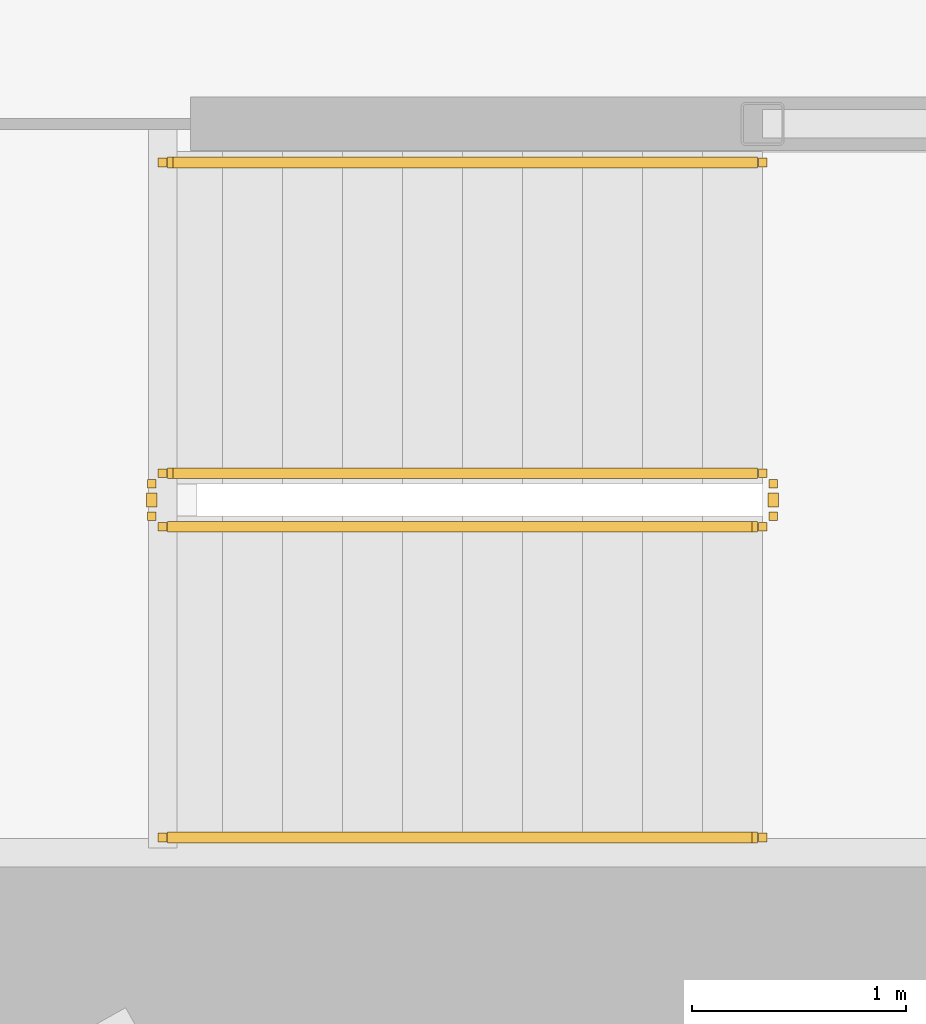
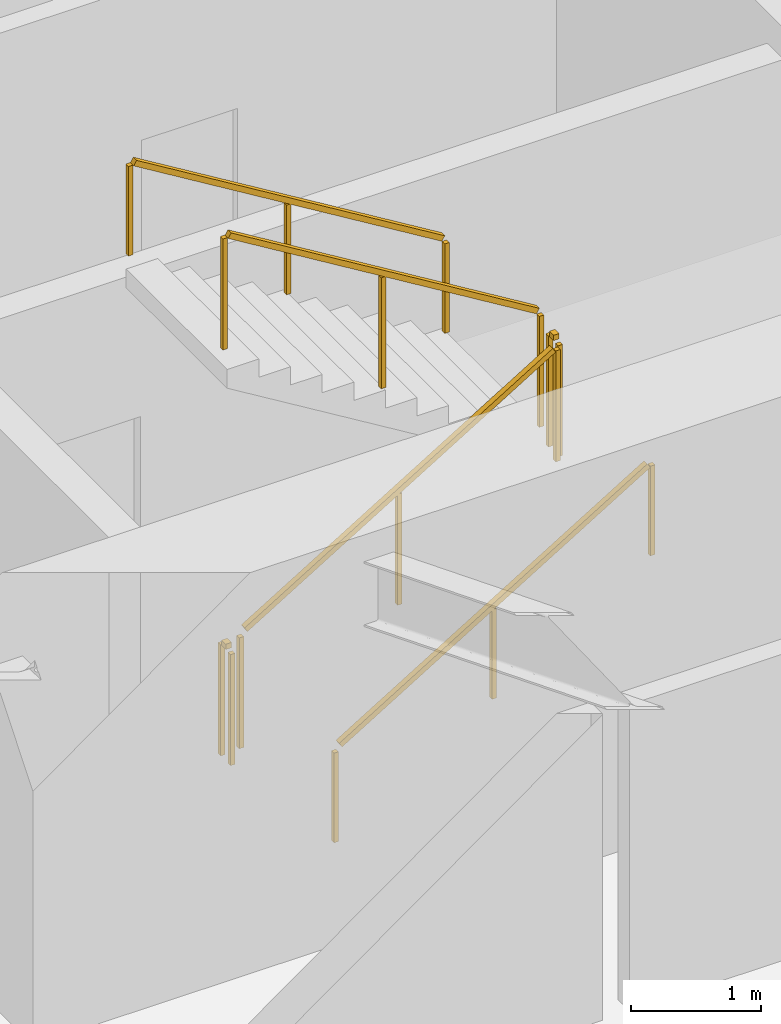
# One storey, part 28 of 31: 6 railings.
"""IFC4 building model written with IfcOpenShell, lengths in metres."""

from ifc_helpers import new_model, si_unit, direction, frame, origin, origin_2d, place, context, subcontext, project, spatial, rectangle, extrude, material, type_object, element, save


model = new_model("IFC4")

# Units and contexts
model_context = context("Model", 3, precision=1e-05, world=origin(), true_north=direction((0.0, 1.0)))
body_context = subcontext(model_context, "Body", "Model", "MODEL_VIEW")
ifc_project = project(units=[si_unit("LENGTHUNIT", "METRE"), si_unit("AREAUNIT", "SQUARE_METRE"), si_unit("VOLUMEUNIT", "CUBIC_METRE"), si_unit("PLANEANGLEUNIT", "RADIAN"), si_unit("MASSUNIT", "GRAM", prefix="KILO")], contexts=[model_context])

# Site, building, storey
site_placement = place(None, origin())
site = spatial("IfcSite", under=ifc_project, at=site_placement, CompositionType="ELEMENT")
building_placement = place(site_placement, origin())
building = spatial("IfcBuilding", under=site, at=building_placement, Name="Kazma Halo Residences", CompositionType="ELEMENT")
storey_placement = place(building_placement, frame((0.0, 0.0, 37.64990234375)))
storey = spatial("IfcBuildingStorey", under=building, at=storey_placement, Name="L08", CompositionType="ELEMENT", Elevation=37.64990234375)

# Railings
ifc_material_1 = material(Name="Painted Steel S355", Category="steel")
railing_type_1 = type_object("IfcRailingType", Name="RLG-STAIR-GRD-1100", PredefinedType="GUARDRAIL", material=ifc_material_1)
railing_1_placement = place(storey_placement, frame((53.199951171875, 35.5, 0.170654296875)))
element("IfcRailing", 1, at=railing_1_placement, inside=storey, type_object=railing_type_1, Name="L08 ST-03 stair guard 1", PredefinedType="GUARDRAIL", context=body_context, shape_type="SweptSolid", body=[
    extrude(rectangle(XDim=0.050048828125, YDim=0.050048828125, at=origin_2d()), frame((0.036376953125, 0.0, 1.09716796875), z_axis=(0.854202870247, 0.0, 0.519939858505), x_axis=(0.0, 1.0, 0.0)), (0.0, 0.0, 1.0), 3.19287109375),
    extrude(rectangle(XDim=0.0400390625, YDim=0.0400390625, at=origin_2d()), origin(), (0.0, 0.0, 1.0), 1.0380859375),
    extrude(rectangle(XDim=0.0400390625, YDim=0.0400390625, at=origin_2d()), frame((1.39990234375, 0.0, 0.85205078125)), (0.0, 0.0, 1.0), 1.0380859375),
    extrude(rectangle(XDim=0.0400390625, YDim=0.0400390625, at=origin_2d()), frame((2.800048828125, 0.0, 1.704345703125)), (0.0, 0.0, 1.0), 1.0380859375),
])
railing_2_placement = place(storey_placement, frame((56.050048828125, 35.550048828125, 1.875)))
element("IfcRailing", 2, at=railing_2_placement, inside=storey, type_object=railing_type_1, Name="L08 ST-03 stair guard 2", PredefinedType="GUARDRAIL", context=body_context, shape_type="SweptSolid", body=[
    extrude(rectangle(XDim=0.050048828125, YDim=0.050048828125, at=origin_2d()), frame((0.0, 0.04248046875, 1.0751953125), z_axis=(0.0, 1.0, 0.0), x_axis=(-1.0, 0.0, 0.0)), (0.0, 0.0, 1.0), 0.06494140625),
    extrude(rectangle(XDim=0.0400390625, YDim=0.0400390625, at=origin_2d()), origin(), (0.0, 0.0, 1.0), 1.0380859375),
    extrude(rectangle(XDim=0.0400390625, YDim=0.0400390625, at=origin_2d()), frame((0.0, 0.14990234375, 0.0)), (0.0, 0.0, 1.0), 1.0380859375),
])
railing_3_placement = place(storey_placement, frame((56.0, 35.75, 2.045654296875)))
element("IfcRailing", 3, at=railing_3_placement, inside=storey, type_object=railing_type_1, Name="L08 ST-03 stair guard 3", PredefinedType="GUARDRAIL", context=body_context, shape_type="SweptSolid", body=[
    extrude(rectangle(XDim=0.050048828125, YDim=0.050048828125, at=origin_2d()), frame((-0.036376953125, 0.0, 1.09716796875), z_axis=(-0.854202870247, 0.0, 0.519939858505), x_axis=(0.0, -1.0, 0.0)), (0.0, 0.0, 1.0), 3.19287109375),
    extrude(rectangle(XDim=0.0400390625, YDim=0.0400390625, at=origin_2d()), origin(), (0.0, 0.0, 1.0), 1.0380859375),
    extrude(rectangle(XDim=0.0400390625, YDim=0.0400390625, at=origin_2d()), frame((-1.39990234375, 0.0, 0.85205078125)), (0.0, 0.0, 1.0), 1.0380859375),
    extrude(rectangle(XDim=0.0400390625, YDim=0.0400390625, at=origin_2d()), frame((-2.800048828125, 0.0, 1.704345703125)), (0.0, 0.0, 1.0), 1.0380859375),
])
railing_4_placement = place(storey_placement, frame((53.14990234375, 35.550048828125, 0.0)))
element("IfcRailing", 4, at=railing_4_placement, inside=storey, type_object=railing_type_1, Name="L08 ST-03 stair guard 4", PredefinedType="GUARDRAIL", context=body_context, shape_type="SweptSolid", body=[
    extrude(rectangle(XDim=0.050048828125, YDim=0.050048828125, at=origin_2d()), frame((0.0, 0.04248046875, 1.0751953125), z_axis=(0.0, 1.0, 0.0), x_axis=(-1.0, 0.0, 0.0)), (0.0, 0.0, 1.0), 0.06494140625),
    extrude(rectangle(XDim=0.0400390625, YDim=0.0400390625, at=origin_2d()), origin(), (0.0, 0.0, 1.0), 1.0380859375),
    extrude(rectangle(XDim=0.0400390625, YDim=0.0400390625, at=origin_2d()), frame((0.0, 0.14990234375, 0.0)), (0.0, 0.0, 1.0), 1.0380859375),
])
ifc_material_2 = material(Name="Brushed Stainless Steel", Category="steel")
railing_type_2 = type_object("IfcRailingType", Name="RLG-STAIR-HND-900", PredefinedType="HANDRAIL", material=ifc_material_2)
railing_5_placement = place(storey_placement, frame((53.199951171875, 34.050048828125, 0.170654296875)))
element("IfcRailing", 5, at=railing_5_placement, inside=storey, type_object=railing_type_2, Name="L08 ST-03 stair handrail 1", PredefinedType="HANDRAIL", context=body_context, shape_type="SweptSolid", body=[
    extrude(rectangle(XDim=0.050048828125, YDim=0.050048828125, at=origin_2d()), frame((0.036376953125, 0.0, 0.89697265625), z_axis=(0.854202870247, 0.0, 0.519939858505), x_axis=(0.0, 1.0, 0.0)), (0.0, 0.0, 1.0), 3.19287109375),
    extrude(rectangle(XDim=0.0400390625, YDim=0.0400390625, at=origin_2d()), origin(), (0.0, 0.0, 1.0), 0.837890625),
    extrude(rectangle(XDim=0.0400390625, YDim=0.0400390625, at=origin_2d()), frame((1.39990234375, 0.0, 0.85205078125)), (0.0, 0.0, 1.0), 0.837890625),
    extrude(rectangle(XDim=0.0400390625, YDim=0.0400390625, at=origin_2d()), frame((2.800048828125, 0.0, 1.704345703125)), (0.0, 0.0, 1.0), 0.837890625),
])
railing_6_placement = place(storey_placement, frame((56.0, 37.199951171875, 2.045654296875)))
element("IfcRailing", 6, at=railing_6_placement, inside=storey, type_object=railing_type_2, Name="L08 ST-03 stair handrail 2", PredefinedType="HANDRAIL", context=body_context, shape_type="SweptSolid", body=[
    extrude(rectangle(XDim=0.050048828125, YDim=0.050048828125, at=origin_2d()), frame((-0.036376953125, 0.0, 0.89697265625), z_axis=(-0.854202870247, 0.0, 0.519939858505), x_axis=(0.0, -1.0, 0.0)), (0.0, 0.0, 1.0), 3.19287109375),
    extrude(rectangle(XDim=0.0400390625, YDim=0.0400390625, at=origin_2d()), origin(), (0.0, 0.0, 1.0), 0.837890625),
    extrude(rectangle(XDim=0.0400390625, YDim=0.0400390625, at=origin_2d()), frame((-1.39990234375, 0.0, 0.85205078125)), (0.0, 0.0, 1.0), 0.837890625),
    extrude(rectangle(XDim=0.0400390625, YDim=0.0400390625, at=origin_2d()), frame((-2.800048828125, 0.0, 1.704345703125)), (0.0, 0.0, 1.0), 0.837890625),
])

save(model, "model.ifc")
